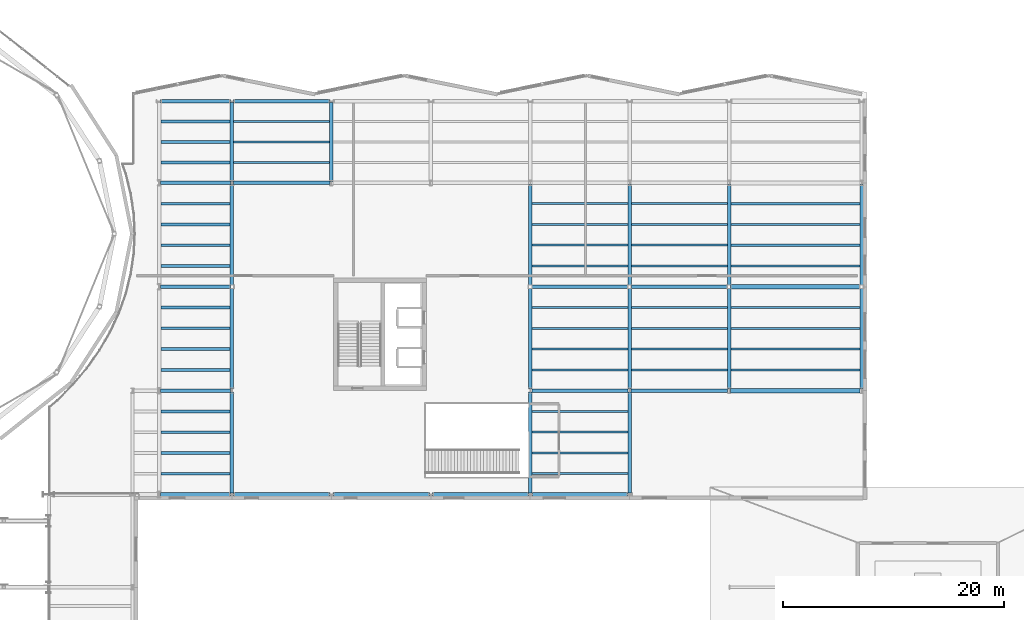
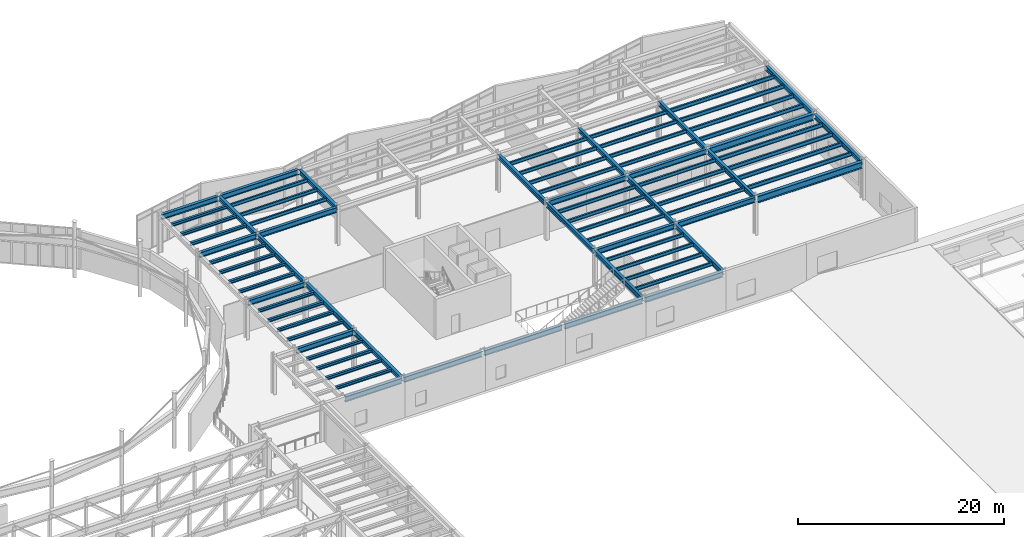
# One storey, part 41 of 91: 78 beams.
"""IFC4 building model written with IfcOpenShell, lengths in metres."""

from ifc_helpers import new_model, si_unit, direction, frame, origin, origin_2d, place, context, subcontext, project, spatial, i_section, extrude, material, material_profile, profile_set, type_object, element, save


model = new_model("IFC4")

# Units and contexts
model_context = context("Model", 3, precision=1e-05, world=origin(), true_north=direction((0.0, 1.0)))
body_context = subcontext(model_context, "Body", "Model", "MODEL_VIEW")
ifc_project = project(units=[si_unit("LENGTHUNIT", "METRE"), si_unit("AREAUNIT", "SQUARE_METRE"), si_unit("VOLUMEUNIT", "CUBIC_METRE"), si_unit("PLANEANGLEUNIT", "RADIAN"), si_unit("MASSUNIT", "GRAM", prefix="KILO")], contexts=[model_context])

# Site, building, storey
site_placement = place(None, origin())
site = spatial("IfcSite", under=ifc_project, at=site_placement, CompositionType="ELEMENT")
building_placement = place(site_placement, origin())
building = spatial("IfcBuilding", under=site, at=building_placement, Name="Sollismere Congress Hotel", CompositionType="ELEMENT")
storey_placement = place(building_placement, frame((0.0, 0.0, 10.800048828125)))
storey = spatial("IfcBuildingStorey", under=building, at=storey_placement, Name="L02", CompositionType="ELEMENT", Elevation=10.800048828125)

# Beams
ifc_material = material(Name="Steel ASTM A992 Grade 50", Category="steel")
ifc_material_profile_1 = material_profile(ifc_material, i_section(OverallWidth=0.31494140625, OverallDepth=0.551025390625, WebThickness=0.01513671875, FlangeThickness=0.0244140625, at=origin_2d()), Name="W21X122")
ifc_profile_set_1 = profile_set([ifc_material_profile_1], Name="Steel ASTM A992 Grade 50")
beam_type_1 = type_object("IfcBeamType", Name="BM-G21H", PredefinedType="BEAM", material=ifc_profile_set_1)
beam_1_placement = place(storey_placement, frame((67.0, 66.93994140625, 4.224365234375), z_axis=(0.0, 1.0, 0.0), x_axis=(-1.0, 0.0, 0.0)))
element("IfcBeam", 1, at=beam_1_placement, inside=storey, type_object=beam_type_1, Name="Beam BM-L02-2091", PredefinedType="BEAM", context=body_context, shape_type="SweptSolid", body=[
    extrude(i_section(OverallWidth=0.31494140625, OverallDepth=0.551025390625, WebThickness=0.01513671875, FlangeThickness=0.0244140625, at=origin_2d()), origin(), (0.0, 0.0, 1.0), 9.1201171875),
])
beam_2_placement = place(storey_placement, frame((67.0, 76.340087890625, 4.224365234375), z_axis=(0.0, 1.0, 0.0), x_axis=(-1.0, 0.0, 0.0)))
element("IfcBeam", 2, at=beam_2_placement, inside=storey, type_object=beam_type_1, Name="Beam BM-L02-2092", PredefinedType="BEAM", context=body_context, shape_type="SweptSolid", body=[
    extrude(i_section(OverallWidth=0.31494140625, OverallDepth=0.551025390625, WebThickness=0.01513671875, FlangeThickness=0.0244140625, at=origin_2d()), origin(), (0.0, 0.0, 1.0), 9.119873046875),
])
beam_3_placement = place(storey_placement, frame((67.0, 85.739990234375, 4.224365234375), z_axis=(0.0, 1.0, 0.0), x_axis=(-1.0, 0.0, 0.0)))
element("IfcBeam", 3, at=beam_3_placement, inside=storey, type_object=beam_type_1, Name="Beam BM-L02-2093", PredefinedType="BEAM", context=body_context, shape_type="SweptSolid", body=[
    extrude(i_section(OverallWidth=0.31494140625, OverallDepth=0.551025390625, WebThickness=0.01513671875, FlangeThickness=0.0244140625, at=origin_2d()), origin(), (0.0, 0.0, 1.0), 9.1201171875),
])
for number, where, z_axis, x_axis, name in (
    (4, (67.0, 95.139892578125, 4.224365234375), (0.0, 1.0, 0.0), (-1.0, 0.0, 0.0), "Beam BM-L02-2094"),
    (5, (76.0, 95.139892578125, 4.224365234375), (0.0, 1.0, 0.0), (-1.0, 0.0, 0.0), "Beam BM-L02-2097"),
):
    element("IfcBeam", number, at=place(storey_placement, frame(where, z_axis=z_axis, x_axis=x_axis)), inside=storey, type_object=beam_type_1, Name=name, PredefinedType="BEAM", context=body_context, shape_type="SweptSolid", body=[
        extrude(i_section(OverallWidth=0.31494140625, OverallDepth=0.551025390625, WebThickness=0.01513671875, FlangeThickness=0.0244140625, at=origin_2d()), origin(), (0.0, 0.0, 1.0), 7.1201171875),
    ])
beam_4_placement = place(storey_placement, frame((94.0, 66.93994140625, 4.224365234375), z_axis=(0.0, 1.0, 0.0), x_axis=(-1.0, 0.0, 0.0)))
element("IfcBeam", 6, at=beam_4_placement, inside=storey, type_object=beam_type_1, Name="Beam BM-L02-2102", PredefinedType="BEAM", context=body_context, shape_type="SweptSolid", body=[
    extrude(i_section(OverallWidth=0.31494140625, OverallDepth=0.551025390625, WebThickness=0.01513671875, FlangeThickness=0.0244140625, at=origin_2d()), origin(), (0.0, 0.0, 1.0), 9.1201171875),
])
beam_5_placement = place(storey_placement, frame((94.0, 76.340087890625, 4.224365234375), z_axis=(0.0, 1.0, 0.0), x_axis=(-1.0, 0.0, 0.0)))
element("IfcBeam", 7, at=beam_5_placement, inside=storey, type_object=beam_type_1, Name="Beam BM-L02-2103", PredefinedType="BEAM", context=body_context, shape_type="SweptSolid", body=[
    extrude(i_section(OverallWidth=0.31494140625, OverallDepth=0.551025390625, WebThickness=0.01513671875, FlangeThickness=0.0244140625, at=origin_2d()), origin(), (0.0, 0.0, 1.0), 9.119873046875),
])
for number, where, z_axis, x_axis, name in (
    (8, (94.0, 85.739990234375, 4.224365234375), (0.0, 1.0, 0.0), (-1.0, 0.0, 0.0), "Beam BM-L02-2104"),
    (9, (103.0, 66.93994140625, 4.224365234375), (0.0, 1.0, 0.0), (-1.0, 0.0, 0.0), "Beam BM-L02-2107"),
):
    element("IfcBeam", number, at=place(storey_placement, frame(where, z_axis=z_axis, x_axis=x_axis)), inside=storey, type_object=beam_type_1, Name=name, PredefinedType="BEAM", context=body_context, shape_type="SweptSolid", body=[
        extrude(i_section(OverallWidth=0.31494140625, OverallDepth=0.551025390625, WebThickness=0.01513671875, FlangeThickness=0.0244140625, at=origin_2d()), origin(), (0.0, 0.0, 1.0), 9.1201171875),
    ])
beam_6_placement = place(storey_placement, frame((103.0, 76.340087890625, 4.224365234375), z_axis=(0.0, 1.0, 0.0), x_axis=(-1.0, 0.0, 0.0)))
element("IfcBeam", 10, at=beam_6_placement, inside=storey, type_object=beam_type_1, Name="Beam BM-L02-2108", PredefinedType="BEAM", context=body_context, shape_type="SweptSolid", body=[
    extrude(i_section(OverallWidth=0.31494140625, OverallDepth=0.551025390625, WebThickness=0.01513671875, FlangeThickness=0.0244140625, at=origin_2d()), origin(), (0.0, 0.0, 1.0), 9.119873046875),
])
beam_7_placement = place(storey_placement, frame((103.0, 85.739990234375, 4.224365234375), z_axis=(0.0, 1.0, 0.0), x_axis=(-1.0, 0.0, 0.0)))
element("IfcBeam", 11, at=beam_7_placement, inside=storey, type_object=beam_type_1, Name="Beam BM-L02-2109", PredefinedType="BEAM", context=body_context, shape_type="SweptSolid", body=[
    extrude(i_section(OverallWidth=0.31494140625, OverallDepth=0.551025390625, WebThickness=0.01513671875, FlangeThickness=0.0244140625, at=origin_2d()), origin(), (0.0, 0.0, 1.0), 9.1201171875),
])
beam_8_placement = place(storey_placement, frame((112.0, 76.340087890625, 4.224365234375), z_axis=(0.0, 1.0, 0.0), x_axis=(-1.0, 0.0, 0.0)))
element("IfcBeam", 12, at=beam_8_placement, inside=storey, type_object=beam_type_1, Name="Beam BM-L02-2113", PredefinedType="BEAM", context=body_context, shape_type="SweptSolid", body=[
    extrude(i_section(OverallWidth=0.31494140625, OverallDepth=0.551025390625, WebThickness=0.01513671875, FlangeThickness=0.0244140625, at=origin_2d()), origin(), (0.0, 0.0, 1.0), 9.119873046875),
])
beam_9_placement = place(storey_placement, frame((112.0, 85.739990234375, 4.224365234375), z_axis=(0.0, 1.0, 0.0), x_axis=(-1.0, 0.0, 0.0)))
element("IfcBeam", 13, at=beam_9_placement, inside=storey, type_object=beam_type_1, Name="Beam BM-L02-2114", PredefinedType="BEAM", context=body_context, shape_type="SweptSolid", body=[
    extrude(i_section(OverallWidth=0.31494140625, OverallDepth=0.551025390625, WebThickness=0.01513671875, FlangeThickness=0.0244140625, at=origin_2d()), origin(), (0.0, 0.0, 1.0), 9.1201171875),
])
beam_10_placement = place(storey_placement, frame((124.0, 76.340087890625, 4.224365234375), z_axis=(0.0, 1.0, 0.0), x_axis=(-1.0, 0.0, 0.0)))
element("IfcBeam", 14, at=beam_10_placement, inside=storey, type_object=beam_type_1, Name="Beam BM-L02-2118", PredefinedType="BEAM", context=body_context, shape_type="SweptSolid", body=[
    extrude(i_section(OverallWidth=0.31494140625, OverallDepth=0.551025390625, WebThickness=0.01513671875, FlangeThickness=0.0244140625, at=origin_2d()), origin(), (0.0, 0.0, 1.0), 9.119873046875),
])
beam_11_placement = place(storey_placement, frame((124.0, 85.739990234375, 4.224365234375), z_axis=(0.0, 1.0, 0.0), x_axis=(-1.0, 0.0, 0.0)))
element("IfcBeam", 15, at=beam_11_placement, inside=storey, type_object=beam_type_1, Name="Beam BM-L02-2119", PredefinedType="BEAM", context=body_context, shape_type="SweptSolid", body=[
    extrude(i_section(OverallWidth=0.31494140625, OverallDepth=0.551025390625, WebThickness=0.01513671875, FlangeThickness=0.0244140625, at=origin_2d()), origin(), (0.0, 0.0, 1.0), 9.1201171875),
])
ifc_material_profile_2 = material_profile(ifc_material, i_section(OverallWidth=0.324951171875, OverallDepth=0.612060546875, WebThickness=0.0126953125, FlangeThickness=0.01904296875, at=origin_2d()), Name="W24X104")
ifc_profile_set_2 = profile_set([ifc_material_profile_2], Name="Steel ASTM A992 Grade 50")
beam_type_2 = type_object("IfcBeamType", Name="BM-G24", PredefinedType="BEAM", material=ifc_profile_set_2)
beam_12_placement = place(storey_placement, frame((60.5400390625, 66.800048828125, 4.19384765625), z_axis=(1.0, 0.0, 0.0), x_axis=(0.0, 1.0, 0.0)))
element("IfcBeam", 16, at=beam_12_placement, inside=storey, type_object=beam_type_2, Name="Beam BM-L02-2025", PredefinedType="BEAM", context=body_context, shape_type="SweptSolid", body=[
    extrude(i_section(OverallWidth=0.324951171875, OverallDepth=0.612060546875, WebThickness=0.0126953125, FlangeThickness=0.01904296875, at=origin_2d()), origin(), (0.0, 0.0, 1.0), 6.320068359375),
])
for number, where, z_axis, x_axis, name in (
    (17, (67.139892578125, 66.800048828125, 4.19384765625), (1.0, 0.0, 0.0), (0.0, 1.0, 0.0), "Beam BM-L02-2026"),
    (18, (76.139892578125, 66.800048828125, 4.19384765625), (1.0, 0.0, 0.0), (0.0, 1.0, 0.0), "Beam BM-L02-2027"),
    (19, (85.139892578125, 66.800048828125, 4.19384765625), (1.0, 0.0, 0.0), (0.0, 1.0, 0.0), "Beam BM-L02-2028"),
    (20, (94.139892578125, 66.800048828125, 4.19384765625), (1.0, 0.0, 0.0), (0.0, 1.0, 0.0), "Beam BM-L02-2029"),
):
    element("IfcBeam", number, at=place(storey_placement, frame(where, z_axis=z_axis, x_axis=x_axis)), inside=storey, type_object=beam_type_2, Name=name, PredefinedType="BEAM", context=body_context, shape_type="SweptSolid", body=[
        extrude(i_section(OverallWidth=0.324951171875, OverallDepth=0.612060546875, WebThickness=0.0126953125, FlangeThickness=0.01904296875, at=origin_2d()), origin(), (0.0, 0.0, 1.0), 8.72021484375),
    ])
beam_13_placement = place(storey_placement, frame((60.5400390625, 76.199951171875, 4.19384765625), z_axis=(1.0, 0.0, 0.0), x_axis=(0.0, 1.0, 0.0)))
element("IfcBeam", 21, at=beam_13_placement, inside=storey, type_object=beam_type_2, Name="Beam BM-L02-2033", PredefinedType="BEAM", context=body_context, shape_type="SweptSolid", body=[
    extrude(i_section(OverallWidth=0.324951171875, OverallDepth=0.612060546875, WebThickness=0.0126953125, FlangeThickness=0.01904296875, at=origin_2d()), origin(), (0.0, 0.0, 1.0), 6.320068359375),
])
for number, where, z_axis, x_axis, name in (
    (22, (94.139892578125, 76.199951171875, 4.19384765625), (1.0, 0.0, 0.0), (0.0, 1.0, 0.0), "Beam BM-L02-2034"),
    (23, (103.139892578125, 76.199951171875, 4.19384765625), (1.0, 0.0, 0.0), (0.0, 1.0, 0.0), "Beam BM-L02-2035"),
):
    element("IfcBeam", number, at=place(storey_placement, frame(where, z_axis=z_axis, x_axis=x_axis)), inside=storey, type_object=beam_type_2, Name=name, PredefinedType="BEAM", context=body_context, shape_type="SweptSolid", body=[
        extrude(i_section(OverallWidth=0.324951171875, OverallDepth=0.612060546875, WebThickness=0.0126953125, FlangeThickness=0.01904296875, at=origin_2d()), origin(), (0.0, 0.0, 1.0), 8.72021484375),
    ])
beam_14_placement = place(storey_placement, frame((60.5400390625, 85.60009765625, 4.19384765625), z_axis=(1.0, 0.0, 0.0), x_axis=(0.0, 1.0, 0.0)))
element("IfcBeam", 24, at=beam_14_placement, inside=storey, type_object=beam_type_2, Name="Beam BM-L02-2037", PredefinedType="BEAM", context=body_context, shape_type="SweptSolid", body=[
    extrude(i_section(OverallWidth=0.324951171875, OverallDepth=0.612060546875, WebThickness=0.0126953125, FlangeThickness=0.01904296875, at=origin_2d()), origin(), (0.0, 0.0, 1.0), 6.320068359375),
])
for number, where, z_axis, x_axis, name in (
    (25, (94.139892578125, 85.60009765625, 4.19384765625), (1.0, 0.0, 0.0), (0.0, 1.0, 0.0), "Beam BM-L02-2038"),
    (26, (103.139892578125, 85.60009765625, 4.19384765625), (1.0, 0.0, 0.0), (0.0, 1.0, 0.0), "Beam BM-L02-2039"),
):
    element("IfcBeam", number, at=place(storey_placement, frame(where, z_axis=z_axis, x_axis=x_axis)), inside=storey, type_object=beam_type_2, Name=name, PredefinedType="BEAM", context=body_context, shape_type="SweptSolid", body=[
        extrude(i_section(OverallWidth=0.324951171875, OverallDepth=0.612060546875, WebThickness=0.0126953125, FlangeThickness=0.01904296875, at=origin_2d()), origin(), (0.0, 0.0, 1.0), 8.72021484375),
    ])
beam_15_placement = place(storey_placement, frame((60.5400390625, 95.0, 4.19384765625), z_axis=(1.0, 0.0, 0.0), x_axis=(0.0, 1.0, 0.0)))
element("IfcBeam", 27, at=beam_15_placement, inside=storey, type_object=beam_type_2, Name="Beam BM-L02-2041", PredefinedType="BEAM", context=body_context, shape_type="SweptSolid", body=[
    extrude(i_section(OverallWidth=0.324951171875, OverallDepth=0.612060546875, WebThickness=0.0126953125, FlangeThickness=0.01904296875, at=origin_2d()), origin(), (0.0, 0.0, 1.0), 6.320068359375),
])
beam_16_placement = place(storey_placement, frame((67.139892578125, 95.0, 4.19384765625), z_axis=(1.0, 0.0, 0.0), x_axis=(0.0, 1.0, 0.0)))
element("IfcBeam", 28, at=beam_16_placement, inside=storey, type_object=beam_type_2, Name="Beam BM-L02-2042", PredefinedType="BEAM", context=body_context, shape_type="SweptSolid", body=[
    extrude(i_section(OverallWidth=0.324951171875, OverallDepth=0.612060546875, WebThickness=0.0126953125, FlangeThickness=0.01904296875, at=origin_2d()), origin(), (0.0, 0.0, 1.0), 8.72021484375),
])
beam_17_placement = place(storey_placement, frame((60.5400390625, 102.39990234375, 4.19384765625), z_axis=(1.0, 0.0, 0.0), x_axis=(0.0, 1.0, 0.0)))
element("IfcBeam", 29, at=beam_17_placement, inside=storey, type_object=beam_type_2, Name="Beam BM-L02-2048", PredefinedType="BEAM", context=body_context, shape_type="SweptSolid", body=[
    extrude(i_section(OverallWidth=0.324951171875, OverallDepth=0.612060546875, WebThickness=0.0126953125, FlangeThickness=0.01904296875, at=origin_2d()), origin(), (0.0, 0.0, 1.0), 6.320068359375),
])
beam_18_placement = place(storey_placement, frame((67.139892578125, 102.39990234375, 4.19384765625), z_axis=(1.0, 0.0, 0.0), x_axis=(0.0, 1.0, 0.0)))
element("IfcBeam", 30, at=beam_18_placement, inside=storey, type_object=beam_type_2, Name="Beam BM-L02-2049", PredefinedType="BEAM", context=body_context, shape_type="SweptSolid", body=[
    extrude(i_section(OverallWidth=0.324951171875, OverallDepth=0.612060546875, WebThickness=0.0126953125, FlangeThickness=0.01904296875, at=origin_2d()), origin(), (0.0, 0.0, 1.0), 8.72021484375),
])
ifc_material_profile_3 = material_profile(ifc_material, i_section(OverallWidth=0.384033203125, OverallDepth=0.787109375, WebThickness=0.019775390625, FlangeThickness=0.033447265625, at=origin_2d()), Name="W30X211")
ifc_profile_set_3 = profile_set([ifc_material_profile_3], Name="Steel ASTM A992 Grade 50")
beam_type_3 = type_object("IfcBeamType", Name="BM-G30", PredefinedType="BEAM", material=ifc_profile_set_3)
for number, where, z_axis, x_axis, name in (
    (31, (112.139892578125, 76.199951171875, 4.1064453125), (1.0, 0.0, 0.0), (0.0, 1.0, 0.0), "Beam BM-L02-2036"),
    (32, (112.139892578125, 85.60009765625, 4.1064453125), (1.0, 0.0, 0.0), (0.0, 1.0, 0.0), "Beam BM-L02-2040"),
):
    element("IfcBeam", number, at=place(storey_placement, frame(where, z_axis=z_axis, x_axis=x_axis)), inside=storey, type_object=beam_type_3, Name=name, PredefinedType="BEAM", context=body_context, shape_type="SweptSolid", body=[
        extrude(i_section(OverallWidth=0.384033203125, OverallDepth=0.787109375, WebThickness=0.019775390625, FlangeThickness=0.033447265625, at=origin_2d()), origin(), (0.0, 0.0, 1.0), 11.72021484375),
    ])
ifc_material_profile_4 = material_profile(ifc_material, i_section(OverallWidth=0.25390625, OverallDepth=0.35595703125, WebThickness=0.010498046875, FlangeThickness=0.018310546875, at=origin_2d()), Name="W14X68")
ifc_profile_set_4 = profile_set([ifc_material_profile_4], Name="Steel ASTM A992 Grade 50")
beam_type_4 = type_object("IfcBeamType", Name="BM-J14", PredefinedType="JOIST", material=ifc_profile_set_4)
for number, where, z_axis, x_axis, name in (
    (33, (60.5576171875, 68.679931640625, 4.322021484375), (1.0, 0.0, 0.0), (0.0, 1.0, 0.0), "Beam BM-L02-2194"),
    (34, (60.5576171875, 70.56005859375, 4.322021484375), (1.0, 0.0, 0.0), (0.0, 1.0, 0.0), "Beam BM-L02-2195"),
    (35, (60.5576171875, 72.43994140625, 4.322021484375), (1.0, 0.0, 0.0), (0.0, 1.0, 0.0), "Beam BM-L02-2196"),
    (36, (60.5576171875, 74.320068359375, 4.322021484375), (1.0, 0.0, 0.0), (0.0, 1.0, 0.0), "Beam BM-L02-2197"),
    (37, (60.5576171875, 78.080078125, 4.322021484375), (1.0, 0.0, 0.0), (0.0, 1.0, 0.0), "Beam BM-L02-2198"),
    (38, (60.5576171875, 79.9599609375, 4.322021484375), (1.0, 0.0, 0.0), (0.0, 1.0, 0.0), "Beam BM-L02-2199"),
    (39, (60.5576171875, 81.840087890625, 4.322021484375), (1.0, 0.0, 0.0), (0.0, 1.0, 0.0), "Beam BM-L02-2200"),
    (40, (60.5576171875, 83.719970703125, 4.322021484375), (1.0, 0.0, 0.0), (0.0, 1.0, 0.0), "Beam BM-L02-2201"),
    (41, (60.5576171875, 87.47998046875, 4.322021484375), (1.0, 0.0, 0.0), (0.0, 1.0, 0.0), "Beam BM-L02-2202"),
    (42, (60.5576171875, 89.360107421875, 4.322021484375), (1.0, 0.0, 0.0), (0.0, 1.0, 0.0), "Beam BM-L02-2203"),
    (43, (60.5576171875, 91.239990234375, 4.322021484375), (1.0, 0.0, 0.0), (0.0, 1.0, 0.0), "Beam BM-L02-2204"),
    (44, (60.5576171875, 93.1201171875, 4.322021484375), (1.0, 0.0, 0.0), (0.0, 1.0, 0.0), "Beam BM-L02-2205"),
    (45, (60.5576171875, 96.85009765625, 4.322021484375), (1.0, 0.0, 0.0), (0.0, 1.0, 0.0), "Beam BM-L02-2206"),
    (46, (60.5576171875, 98.699951171875, 4.322021484375), (1.0, 0.0, 0.0), (0.0, 1.0, 0.0), "Beam BM-L02-2207"),
    (47, (60.5576171875, 100.550048828125, 4.322021484375), (1.0, 0.0, 0.0), (0.0, 1.0, 0.0), "Beam BM-L02-2208"),
):
    element("IfcBeam", number, at=place(storey_placement, frame(where, z_axis=z_axis, x_axis=x_axis)), inside=storey, type_object=beam_type_4, Name=name, PredefinedType="JOIST", context=body_context, shape_type="SweptSolid", body=[
        extrude(i_section(OverallWidth=0.25390625, OverallDepth=0.35595703125, WebThickness=0.010498046875, FlangeThickness=0.018310546875, at=origin_2d()), origin(), (0.0, 0.0, 1.0), 6.284912109375),
    ])
ifc_material_profile_5 = material_profile(ifc_material, i_section(OverallWidth=0.180908203125, OverallDepth=0.4169921875, WebThickness=0.010986328125, FlangeThickness=0.018310546875, at=origin_2d()), Name="W16X57")
ifc_profile_set_5 = profile_set([ifc_material_profile_5], Name="Steel ASTM A992 Grade 50")
beam_type_5 = type_object("IfcBeamType", Name="BM-J16", PredefinedType="JOIST", material=ifc_profile_set_5)
for number, where, z_axis, x_axis, name in (
    (48, (67.157470703125, 96.85009765625, 4.29150390625), (1.0, 0.0, 0.0), (0.0, 1.0, 0.0), "Beam BM-L02-2217"),
    (49, (67.157470703125, 98.699951171875, 4.29150390625), (1.0, 0.0, 0.0), (0.0, 1.0, 0.0), "Beam BM-L02-2218"),
    (50, (67.157470703125, 100.550048828125, 4.29150390625), (1.0, 0.0, 0.0), (0.0, 1.0, 0.0), "Beam BM-L02-2219"),
    (51, (94.157470703125, 68.679931640625, 4.29150390625), (1.0, 0.0, 0.0), (0.0, 1.0, 0.0), "Beam BM-L02-2242"),
    (52, (94.157470703125, 70.56005859375, 4.29150390625), (1.0, 0.0, 0.0), (0.0, 1.0, 0.0), "Beam BM-L02-2243"),
    (53, (94.157470703125, 72.43994140625, 4.29150390625), (1.0, 0.0, 0.0), (0.0, 1.0, 0.0), "Beam BM-L02-2244"),
    (54, (94.157470703125, 74.320068359375, 4.29150390625), (1.0, 0.0, 0.0), (0.0, 1.0, 0.0), "Beam BM-L02-2245"),
    (55, (94.157470703125, 78.080078125, 4.29150390625), (1.0, 0.0, 0.0), (0.0, 1.0, 0.0), "Beam BM-L02-2246"),
    (56, (94.157470703125, 79.9599609375, 4.29150390625), (1.0, 0.0, 0.0), (0.0, 1.0, 0.0), "Beam BM-L02-2247"),
    (57, (94.157470703125, 81.840087890625, 4.29150390625), (1.0, 0.0, 0.0), (0.0, 1.0, 0.0), "Beam BM-L02-2248"),
    (58, (94.157470703125, 83.719970703125, 4.29150390625), (1.0, 0.0, 0.0), (0.0, 1.0, 0.0), "Beam BM-L02-2249"),
    (59, (94.157470703125, 87.47998046875, 4.29150390625), (1.0, 0.0, 0.0), (0.0, 1.0, 0.0), "Beam BM-L02-2250"),
    (60, (94.157470703125, 89.360107421875, 4.29150390625), (1.0, 0.0, 0.0), (0.0, 1.0, 0.0), "Beam BM-L02-2251"),
    (61, (94.157470703125, 91.239990234375, 4.29150390625), (1.0, 0.0, 0.0), (0.0, 1.0, 0.0), "Beam BM-L02-2252"),
    (62, (94.157470703125, 93.1201171875, 4.29150390625), (1.0, 0.0, 0.0), (0.0, 1.0, 0.0), "Beam BM-L02-2253"),
    (63, (103.157470703125, 78.080078125, 4.29150390625), (1.0, 0.0, 0.0), (0.0, 1.0, 0.0), "Beam BM-L02-2261"),
    (64, (103.157470703125, 79.9599609375, 4.29150390625), (1.0, 0.0, 0.0), (0.0, 1.0, 0.0), "Beam BM-L02-2262"),
    (65, (103.157470703125, 81.840087890625, 4.29150390625), (1.0, 0.0, 0.0), (0.0, 1.0, 0.0), "Beam BM-L02-2263"),
    (66, (103.157470703125, 83.719970703125, 4.29150390625), (1.0, 0.0, 0.0), (0.0, 1.0, 0.0), "Beam BM-L02-2264"),
    (67, (103.157470703125, 87.47998046875, 4.29150390625), (1.0, 0.0, 0.0), (0.0, 1.0, 0.0), "Beam BM-L02-2265"),
    (68, (103.157470703125, 89.360107421875, 4.29150390625), (1.0, 0.0, 0.0), (0.0, 1.0, 0.0), "Beam BM-L02-2266"),
    (69, (103.157470703125, 91.239990234375, 4.29150390625), (1.0, 0.0, 0.0), (0.0, 1.0, 0.0), "Beam BM-L02-2267"),
    (70, (103.157470703125, 93.1201171875, 4.29150390625), (1.0, 0.0, 0.0), (0.0, 1.0, 0.0), "Beam BM-L02-2268"),
):
    element("IfcBeam", number, at=place(storey_placement, frame(where, z_axis=z_axis, x_axis=x_axis)), inside=storey, type_object=beam_type_5, Name=name, PredefinedType="JOIST", context=body_context, shape_type="SweptSolid", body=[
        extrude(i_section(OverallWidth=0.180908203125, OverallDepth=0.4169921875, WebThickness=0.010986328125, FlangeThickness=0.018310546875, at=origin_2d()), origin(), (0.0, 0.0, 1.0), 8.68505859375),
    ])
ifc_material_profile_6 = material_profile(ifc_material, i_section(OverallWidth=0.193115234375, OverallDepth=0.467041015625, WebThickness=0.011474609375, FlangeThickness=0.01904296875, at=origin_2d()), Name="W18X65")
ifc_profile_set_6 = profile_set([ifc_material_profile_6], Name="Steel ASTM A992 Grade 50")
beam_type_6 = type_object("IfcBeamType", Name="BM-J18", PredefinedType="JOIST", material=ifc_profile_set_6)
for number, where, z_axis, x_axis, name in (
    (71, (112.157470703125, 78.080078125, 4.266357421875), (1.0, 0.0, 0.0), (0.0, 1.0, 0.0), "Beam BM-L02-2280"),
    (72, (112.157470703125, 79.9599609375, 4.266357421875), (1.0, 0.0, 0.0), (0.0, 1.0, 0.0), "Beam BM-L02-2281"),
    (73, (112.157470703125, 81.840087890625, 4.266357421875), (1.0, 0.0, 0.0), (0.0, 1.0, 0.0), "Beam BM-L02-2282"),
    (74, (112.157470703125, 83.719970703125, 4.266357421875), (1.0, 0.0, 0.0), (0.0, 1.0, 0.0), "Beam BM-L02-2283"),
    (75, (112.157470703125, 87.47998046875, 4.266357421875), (1.0, 0.0, 0.0), (0.0, 1.0, 0.0), "Beam BM-L02-2284"),
    (76, (112.157470703125, 89.360107421875, 4.266357421875), (1.0, 0.0, 0.0), (0.0, 1.0, 0.0), "Beam BM-L02-2285"),
    (77, (112.157470703125, 91.239990234375, 4.266357421875), (1.0, 0.0, 0.0), (0.0, 1.0, 0.0), "Beam BM-L02-2286"),
    (78, (112.157470703125, 93.1201171875, 4.266357421875), (1.0, 0.0, 0.0), (0.0, 1.0, 0.0), "Beam BM-L02-2287"),
):
    element("IfcBeam", number, at=place(storey_placement, frame(where, z_axis=z_axis, x_axis=x_axis)), inside=storey, type_object=beam_type_6, Name=name, PredefinedType="JOIST", context=body_context, shape_type="SweptSolid", body=[
        extrude(i_section(OverallWidth=0.193115234375, OverallDepth=0.467041015625, WebThickness=0.011474609375, FlangeThickness=0.01904296875, at=origin_2d()), origin(), (0.0, 0.0, 1.0), 11.68505859375),
    ])

save(model, "model.ifc")
